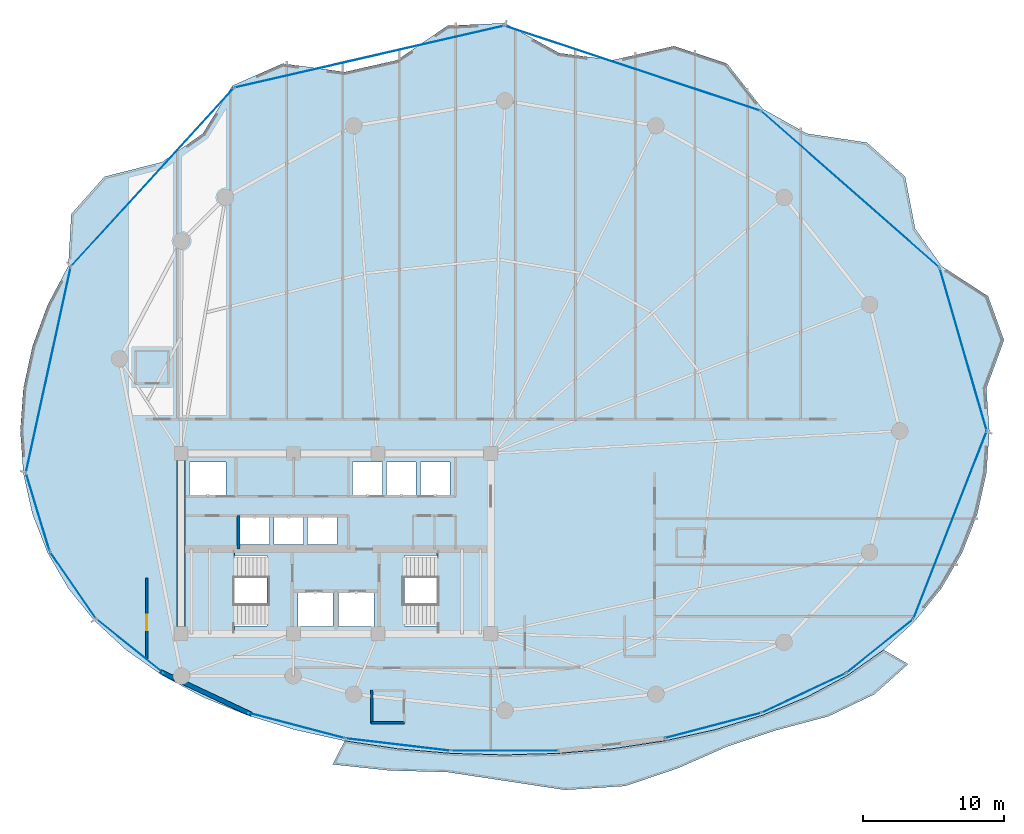
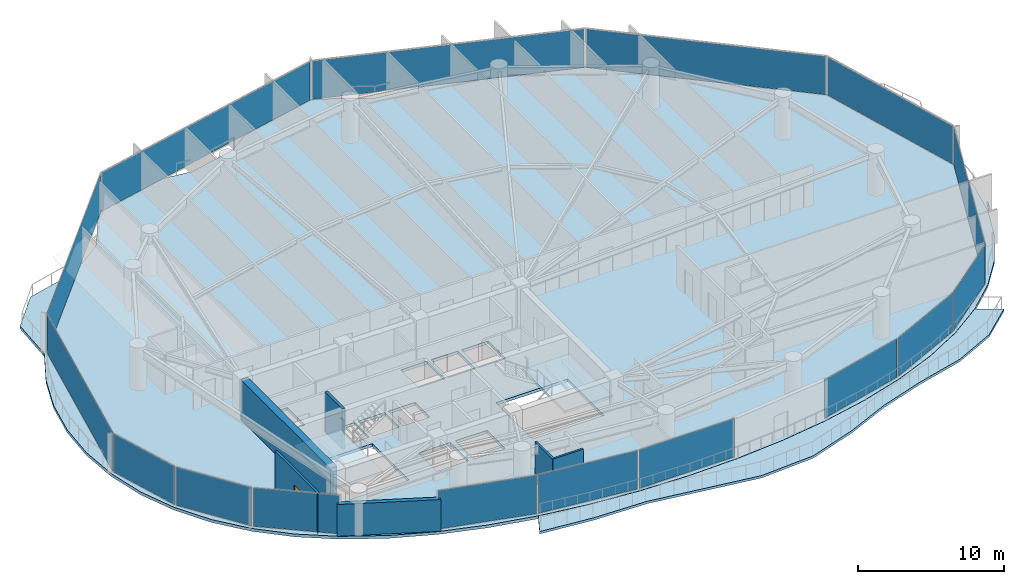
# One storey, part 25 of 34: 16 plates, 6 walls, 4 slabs, 1 door, 1 opening, 18 elements without a shape of their own.
"""IFC4 building model written with IfcOpenShell, lengths in metres."""

from ifc_helpers import new_model, si_unit, direction, frame, frame_2d, origin, origin_2d, place, context, subcontext, project, spatial, polyline, rectangle, outline, extrude, material, layer, layer_set, type_object, element, fill, aggregate, save


model = new_model("IFC4")

# Units and contexts
model_context = context("Model", 3, precision=1e-05, world=origin(), true_north=direction((0.0, 1.0)))
body_context = subcontext(model_context, "Body", "Model", "MODEL_VIEW")
ifc_project = project(units=[si_unit("LENGTHUNIT", "METRE"), si_unit("AREAUNIT", "SQUARE_METRE"), si_unit("VOLUMEUNIT", "CUBIC_METRE"), si_unit("PLANEANGLEUNIT", "RADIAN"), si_unit("MASSUNIT", "GRAM", prefix="KILO")], contexts=[model_context])

# Site, building, storey
site_placement = place(None, origin())
site = spatial("IfcSite", under=ifc_project, at=site_placement, CompositionType="ELEMENT")
building_placement = place(site_placement, origin())
building = spatial("IfcBuilding", under=site, at=building_placement, Name="Kazevale Care Tower and Concert Hall", CompositionType="ELEMENT")
storey_placement = place(building_placement, frame((0.0, 0.0, 163.800048828125)))
storey = spatial("IfcBuildingStorey", under=building, at=storey_placement, Name="L43", CompositionType="ELEMENT", Elevation=163.800048828125)

# Curtain wall, plate
ifc_material_1 = material(Name="Aluminium 6063-T6 and Low-E Glass", Category="aluminium")
ifc_layer_1 = layer(ifc_material_1, 0.179931640625)
ifc_layer_set_1 = layer_set([ifc_layer_1], Name="Aluminium 6063-T6 and Low-E Glass")
curtain_wall_type_1 = type_object("IfcCurtainWallType", Name="Convex Checkerboard Finned Curtain Wall CW-2", PredefinedType="NOTDEFINED", material=ifc_layer_set_1)
curtain_wall_1_placement = place(storey_placement, origin())
curtain_wall_1 = element("IfcCurtainWall", 1, at=curtain_wall_1_placement, inside=storey, type_object=curtain_wall_type_1, Name="cw:L43:f14", PredefinedType="NOTDEFINED")
ifc_material_2 = material(Name="Low-E Laminated Glass", Category="glass")
ifc_layer_2 = layer(ifc_material_2, 0.028076171875)
ifc_layer_set_2 = layer_set([ifc_layer_2], Name="Low-E Laminated Glass")
plate_type_1 = type_object("IfcPlateType", Name="CW-2 Low-E Glazing Panel 28mm", PredefinedType="CURTAIN_PANEL", material=ifc_layer_set_2)
plate_1_placement = place(storey_placement, frame((19.98388671875, 56.017578125, 0.074951171875), z_axis=(0.0, 0.0, 1.0), x_axis=(0.674262472751, 0.738491785899, 0.0)))
plate_1 = element("IfcPlate", 2, at=plate_1_placement, type_object=plate_type_1, Name="CW-2 panel 1.1", PredefinedType="CURTAIN_PANEL", context=body_context, shape_type="SweptSolid", body=[
    extrude(rectangle(XDim=17.0439453125, YDim=0.028076171875, at=origin_2d()), origin(), (0.0, 0.0, 1.0), 3.2099609375),
])
aggregate(curtain_wall_1, [plate_1])

curtain_wall_2_placement = place(storey_placement, origin())
curtain_wall_2 = element("IfcCurtainWall", 3, at=curtain_wall_2_placement, inside=storey, type_object=curtain_wall_type_1, Name="cw:L43:f16", PredefinedType="NOTDEFINED")
plate_2_placement = place(storey_placement, frame((54.070556640625, 63.7451171875, 0.074951171875), z_axis=(0.0, 0.0, 1.0), x_axis=(0.949135409507, -0.314868185785, 0.0)))
plate_2 = element("IfcPlate", 4, at=plate_2_placement, type_object=plate_type_1, Name="CW-2 panel 1.1", PredefinedType="CURTAIN_PANEL", context=body_context, shape_type="SweptSolid", body=[
    extrude(rectangle(XDim=19.041748046875, YDim=0.028076171875, at=origin_2d()), origin(), (0.0, 0.0, 1.0), 3.2099609375),
])
aggregate(curtain_wall_2, [plate_2])

ifc_layer_3 = layer(ifc_material_1, 0.179931640625)
ifc_layer_set_3 = layer_set([ifc_layer_3], Name="Aluminium 6063-T6 and Low-E Glass")
curtain_wall_type_2 = type_object("IfcCurtainWallType", Name="Convex Recessed Sunroom Curtain Wall CW-3", PredefinedType="NOTDEFINED", material=ifc_layer_set_3)
curtain_wall_3_placement = place(storey_placement, origin())
curtain_wall_3 = element("IfcCurtainWall", 5, at=curtain_wall_3_placement, inside=storey, type_object=curtain_wall_type_2, Name="cw:L43:f15", PredefinedType="NOTDEFINED")
ifc_layer_4 = layer(ifc_material_2, 0.028076171875)
ifc_layer_set_4 = layer_set([ifc_layer_4], Name="Low-E Laminated Glass")
plate_type_2 = type_object("IfcPlateType", Name="CW-3 Low-E Glazing Panel 28mm", PredefinedType="CURTAIN_PANEL", material=ifc_layer_set_4)
plate_3_placement = place(storey_placement, frame((35.37109375, 64.569091796875, 0.074951171875), z_axis=(0.0, 0.0, 1.0), x_axis=(0.974688488327, 0.223567329284, 0.0)))
plate_3 = element("IfcPlate", 6, at=plate_3_placement, type_object=plate_type_2, Name="CW-3 panel 1.1", PredefinedType="CURTAIN_PANEL", context=body_context, shape_type="SweptSolid", body=[
    extrude(rectangle(XDim=19.52197265625, YDim=0.028076171875, at=origin_2d()), origin(), (0.0, 0.0, 1.0), 3.2099609375),
])
aggregate(curtain_wall_3, [plate_3])

curtain_wall_4_placement = place(storey_placement, origin())
curtain_wall_4 = element("IfcCurtainWall", 7, at=curtain_wall_4_placement, inside=storey, type_object=curtain_wall_type_2, Name="cw:L43:f17", PredefinedType="NOTDEFINED")
plate_4_placement = place(storey_placement, frame((69.5244140625, 55.152587890625, 0.074951171875), z_axis=(0.0, 0.0, 1.0), x_axis=(0.751360700182, -0.659891732197, 0.0)))
plate_4 = element("IfcPlate", 8, at=plate_4_placement, type_object=plate_type_2, Name="CW-3 panel 1.1", PredefinedType="CURTAIN_PANEL", context=body_context, shape_type="SweptSolid", body=[
    extrude(rectangle(XDim=16.72998046875, YDim=0.028076171875, at=origin_2d()), origin(), (0.0, 0.0, 1.0), 3.2099609375),
])
aggregate(curtain_wall_4, [plate_4])

ifc_layer_5 = layer(ifc_material_1, 0.179931640625)
ifc_layer_set_5 = layer_set([ifc_layer_5], Name="Aluminium 6063-T6 and Low-E Glass")
curtain_wall_type_3 = type_object("IfcCurtainWallType", Name="Waist & Upper Residential Curtain Wall CW-4", PredefinedType="NOTDEFINED", material=ifc_layer_set_5)
curtain_wall_5_placement = place(storey_placement, origin())
curtain_wall_5 = element("IfcCurtainWall", 9, at=curtain_wall_5_placement, inside=storey, type_object=curtain_wall_type_3, Name="cw:L43:f01", PredefinedType="NOTDEFINED")
ifc_layer_6 = layer(ifc_material_2, 0.030029296875)
ifc_layer_set_6 = layer_set([ifc_layer_6], Name="Low-E Laminated Glass")
plate_type_3 = type_object("IfcPlateType", Name="CW-4 Low-E Glazing Panel 30mm", PredefinedType="CURTAIN_PANEL", material=ifc_layer_set_6)
plate_5_placement = place(storey_placement, frame((76.60791015625, 31.319091796875, 0.080078125), z_axis=(0.0, 0.0, 1.0), x_axis=(-0.36412075471, -0.931351746651, 0.0)))
plate_5 = element("IfcPlate", 10, at=plate_5_placement, type_object=plate_type_3, Name="CW-4 panel 1.1", PredefinedType="CURTAIN_PANEL", context=body_context, shape_type="SweptSolid", body=[
    extrude(rectangle(XDim=14.186767578125, YDim=0.030029296875, at=origin_2d()), origin(), (0.0, 0.0, 1.0), 3.199951171875),
])
aggregate(curtain_wall_5, [plate_5])

curtain_wall_6_placement = place(storey_placement, origin())
curtain_wall_6 = element("IfcCurtainWall", 11, at=curtain_wall_6_placement, inside=storey, type_object=curtain_wall_type_3, Name="cw:L43:f11", PredefinedType="NOTDEFINED")
plate_6_placement = place(storey_placement, frame((14.348388671875, 27.03955078125, 0.080078125), z_axis=(0.0, 0.0, 1.0), x_axis=(-0.567568708131, 0.823326035997, 0.0)))
plate_6 = element("IfcPlate", 12, at=plate_6_placement, type_object=plate_type_3, Name="CW-4 panel 1.1", PredefinedType="CURTAIN_PANEL", context=body_context, shape_type="SweptSolid", body=[
    extrude(rectangle(XDim=5.673583984375, YDim=0.030029296875, at=origin_2d()), origin(), (0.0, 0.0, 1.0), 3.199951171875),
])
aggregate(curtain_wall_6, [plate_6])

curtain_wall_7_placement = place(storey_placement, origin())
curtain_wall_7 = element("IfcCurtainWall", 13, at=curtain_wall_7_placement, inside=storey, type_object=curtain_wall_type_3, Name="cw:L43:f12", PredefinedType="NOTDEFINED")
plate_7_placement = place(storey_placement, frame((11.843994140625, 32.232421875, 0.080078125), z_axis=(0.0, 0.0, 1.0), x_axis=(-0.290977496961, 0.956729897234, 0.0)))
plate_7 = element("IfcPlate", 14, at=plate_7_placement, type_object=plate_type_3, Name="CW-4 panel 1.1", PredefinedType="CURTAIN_PANEL", context=body_context, shape_type="SweptSolid", body=[
    extrude(rectangle(XDim=5.675537109375, YDim=0.030029296875, at=origin_2d()), origin(), (0.0, 0.0, 1.0), 3.199951171875),
])
aggregate(curtain_wall_7, [plate_7])

curtain_wall_8_placement = place(storey_placement, origin())
curtain_wall_8 = element("IfcCurtainWall", 15, at=curtain_wall_8_placement, inside=storey, type_object=curtain_wall_type_3, Name="cw:L43:f13", PredefinedType="NOTDEFINED")
plate_8_placement = place(storey_placement, frame((12.589599609375, 42.344482421875, 0.080078125), z_axis=(0.0, 0.0, 1.0), x_axis=(0.21282305992, 0.977090755849, 0.0)))
plate_8 = element("IfcPlate", 16, at=plate_8_placement, type_object=plate_type_3, Name="CW-4 panel 1.1", PredefinedType="CURTAIN_PANEL", context=body_context, shape_type="SweptSolid", body=[
    extrude(rectangle(XDim=14.82421875, YDim=0.030029296875, at=origin_2d()), origin(), (0.0, 0.0, 1.0), 3.199951171875),
])
aggregate(curtain_wall_8, [plate_8])

curtain_wall_9_placement = place(storey_placement, origin())
curtain_wall_9 = element("IfcCurtainWall", 17, at=curtain_wall_9_placement, inside=storey, type_object=curtain_wall_type_3, Name="cw:L43:f18", PredefinedType="NOTDEFINED")
plate_9_placement = place(storey_placement, frame((77.54296875, 43.79150390625, 0.080078125), z_axis=(0.0, 0.0, 1.0), x_axis=(0.278136604418, -0.960541529182, 0.0)))
plate_9 = element("IfcPlate", 18, at=plate_9_placement, type_object=plate_type_3, Name="CW-4 panel 1.1", PredefinedType="CURTAIN_PANEL", context=body_context, shape_type="SweptSolid", body=[
    extrude(rectangle(XDim=11.89892578125, YDim=0.030029296875, at=origin_2d()), origin(), (0.0, 0.0, 1.0), 3.199951171875),
])
aggregate(curtain_wall_9, [plate_9])

ifc_layer_7 = layer(ifc_material_1, 0.179931640625)
ifc_layer_set_7 = layer_set([ifc_layer_7], Name="Aluminium 6063-T6 and Low-E Glass")
curtain_wall_type_4 = type_object("IfcCurtainWallType", Name="Sheltered Concave Balcony Curtain Wall CW-5", PredefinedType="NOTDEFINED", material=ifc_layer_set_7)
curtain_wall_10_placement = place(storey_placement, origin())
curtain_wall_10 = element("IfcCurtainWall", 19, at=curtain_wall_10_placement, inside=storey, type_object=curtain_wall_type_4, Name="cw:L43:f02", PredefinedType="NOTDEFINED")
ifc_layer_8 = layer(ifc_material_2, 0.02587890625)
ifc_layer_set_8 = layer_set([ifc_layer_8], Name="Low-E Laminated Glass")
plate_type_4 = type_object("IfcPlateType", Name="CW-5 Low-E Glazing Panel 26mm", PredefinedType="CURTAIN_PANEL", material=ifc_layer_set_8)
plate_10_placement = place(storey_placement, frame((71.613037109375, 22.720458984375, 0.074951171875), z_axis=(0.0, 0.0, 1.0), x_axis=(-0.779095419531, -0.626905357502, 0.0)))
plate_10 = element("IfcPlate", 20, at=plate_10_placement, type_object=plate_type_4, Name="CW-5 panel 1.1", PredefinedType="CURTAIN_PANEL", context=body_context, shape_type="SweptSolid", body=[
    extrude(rectangle(XDim=5.96728515625, YDim=0.02587890625, at=origin_2d()), origin(), (0.0, 0.0, 1.0), 3.2099609375),
])
aggregate(curtain_wall_10, [plate_10])

curtain_wall_11_placement = place(storey_placement, origin())
curtain_wall_11 = element("IfcCurtainWall", 21, at=curtain_wall_11_placement, inside=storey, type_object=curtain_wall_type_4, Name="cw:L43:f03", PredefinedType="NOTDEFINED")
plate_11_placement = place(storey_placement, frame((66.235595703125, 19.39697265625, 0.074951171875), z_axis=(0.0, 0.0, 1.0), x_axis=(-0.905188294205, -0.425010766963, 0.0)))
plate_11 = element("IfcPlate", 22, at=plate_11_placement, type_object=plate_type_4, Name="CW-5 panel 1.1", PredefinedType="CURTAIN_PANEL", context=body_context, shape_type="SweptSolid", body=[
    extrude(rectangle(XDim=6.46630859375, YDim=0.02587890625, at=origin_2d()), origin(), (0.0, 0.0, 1.0), 3.2099609375),
])
aggregate(curtain_wall_11, [plate_11])

curtain_wall_12_placement = place(storey_placement, origin())
curtain_wall_12 = element("IfcCurtainWall", 23, at=curtain_wall_12_placement, inside=storey, type_object=curtain_wall_type_4, Name="cw:L43:f04", PredefinedType="NOTDEFINED")
plate_12_placement = place(storey_placement, frame((59.784912109375, 17.08251953125, 0.074951171875), z_axis=(0.0, 0.0, 1.0), x_axis=(-0.967141564797, -0.254238458229, 0.0)))
plate_12 = element("IfcPlate", 24, at=plate_12_placement, type_object=plate_type_4, Name="CW-5 panel 1.1", PredefinedType="CURTAIN_PANEL", context=body_context, shape_type="SweptSolid", body=[
    extrude(rectangle(XDim=6.996826171875, YDim=0.02587890625, at=origin_2d()), origin(), (0.0, 0.0, 1.0), 3.2099609375),
])
aggregate(curtain_wall_12, [plate_12])

curtain_wall_13_placement = place(storey_placement, origin())
curtain_wall_13 = element("IfcCurtainWall", 25, at=curtain_wall_13_placement, inside=storey, type_object=curtain_wall_type_4, Name="cw:L43:f06", PredefinedType="NOTDEFINED")
plate_13_placement = place(storey_placement, frame((45.0, 15.2890625, 0.074951171875), z_axis=(0.0, 0.0, 1.0), x_axis=(-1.0, 0.0, 0.0)))
plate_13 = element("IfcPlate", 26, at=plate_13_placement, type_object=plate_type_4, Name="CW-5 panel 1.1", PredefinedType="CURTAIN_PANEL", context=body_context, shape_type="SweptSolid", body=[
    extrude(rectangle(XDim=7.531982421875, YDim=0.02587890625, at=origin_2d()), origin(), (0.0, 0.0, 1.0), 3.2099609375),
])
aggregate(curtain_wall_13, [plate_13])

curtain_wall_14_placement = place(storey_placement, origin())
curtain_wall_14 = element("IfcCurtainWall", 27, at=curtain_wall_14_placement, inside=storey, type_object=curtain_wall_type_4, Name="cw:L43:f07", PredefinedType="NOTDEFINED")
plate_14_placement = place(storey_placement, frame((37.4150390625, 15.7314453125, 0.074951171875), z_axis=(0.0, 0.0, 1.0), x_axis=(-0.993087997884, 0.117372179238, 0.0)))
plate_14 = element("IfcPlate", 28, at=plate_14_placement, type_object=plate_type_4, Name="CW-5 panel 1.1", PredefinedType="CURTAIN_PANEL", context=body_context, shape_type="SweptSolid", body=[
    extrude(rectangle(XDim=7.39013671875, YDim=0.02587890625, at=origin_2d()), origin(), (0.0, 0.0, 1.0), 3.2099609375),
])
aggregate(curtain_wall_14, [plate_14])

curtain_wall_15_placement = place(storey_placement, origin())
curtain_wall_15 = element("IfcCurtainWall", 29, at=curtain_wall_15_placement, inside=storey, type_object=curtain_wall_type_4, Name="cw:L43:f08", PredefinedType="NOTDEFINED")
plate_15_placement = place(storey_placement, frame((30.215087890625, 17.08251953125, 0.074951171875), z_axis=(0.0, 0.0, 1.0), x_axis=(-0.967141564797, 0.254238458229, 0.0)))
plate_15 = element("IfcPlate", 30, at=plate_15_placement, type_object=plate_type_4, Name="CW-5 panel 1.1", PredefinedType="CURTAIN_PANEL", context=body_context, shape_type="SweptSolid", body=[
    extrude(rectangle(XDim=6.996826171875, YDim=0.02587890625, at=origin_2d()), origin(), (0.0, 0.0, 1.0), 3.2099609375),
])
aggregate(curtain_wall_15, [plate_15])

curtain_wall_16_placement = place(storey_placement, origin())
curtain_wall_16 = element("IfcCurtainWall", 31, at=curtain_wall_16_placement, inside=storey, type_object=curtain_wall_type_4, Name="cw:L43:f10", PredefinedType="NOTDEFINED")
plate_16_placement = place(storey_placement, frame((18.386962890625, 22.720458984375, 0.074951171875), z_axis=(0.0, 0.0, 1.0), x_axis=(-0.779095419531, 0.626905357502, 0.0)))
plate_16 = element("IfcPlate", 32, at=plate_16_placement, type_object=plate_type_4, Name="CW-5 panel 1.1", PredefinedType="CURTAIN_PANEL", context=body_context, shape_type="SweptSolid", body=[
    extrude(rectangle(XDim=5.96728515625, YDim=0.02587890625, at=origin_2d()), origin(), (0.0, 0.0, 1.0), 3.2099609375),
])
aggregate(curtain_wall_16, [plate_16])

# Slab
ifc_material_3 = material(Name="Concrete C40", Category="concrete")
ifc_layer_9 = layer(ifc_material_3, 0.199951171875)
ifc_layer_set_9 = layer_set([ifc_layer_9], Name="Concrete C40")
slab_type_1 = type_object("IfcSlabType", Name="Sinusoidal Concave Balcony Slab 200", PredefinedType="USERDEFINED", material=ifc_layer_set_9)
slab_1_placement = place(storey_placement, frame((0.0, 0.0, -0.199951171875)))
element("IfcSlab", 33, at=slab_1_placement, inside=storey, type_object=slab_type_1, Name="slab:L43:bal", ObjectType="BALCONY", PredefinedType="USERDEFINED", context=body_context, shape_type="SweptSolid", body=[
    extrude(outline(polyline([(73.635986328125, 21.44677734375), (71.218994140625, 19.2978515625), (67.9931640625, 17.7451171875), (64.2705078125, 16.753662109375), (60.767578125, 15.591552734375), (57.35205078125, 14.079345703125), (53.55419921875, 12.789794921875), (49.289306640625, 12.508544921875), (45.0, 13.159423828125), (40.924072265625, 13.77685546875), (36.819580078125, 13.89111328125), (32.773193359375, 14.32177734375), (33.635986328125, 15.992919921875), (33.637451171875, 15.992431640625), (37.3447265625, 15.435546875), (41.148193359375, 15.104736328125), (45.0, 14.9951171875), (48.851806640625, 15.104736328125), (52.6552734375, 15.435546875), (56.362548828125, 15.992431640625), (59.927001953125, 16.783447265625), (63.3037109375, 17.81689453125), (66.4501953125, 19.101806640625), (69.3271484375, 20.64501953125), (71.898193359375, 22.44921875), (71.899658203125, 22.450439453125), (73.635986328125, 21.44677734375)])), origin(), (0.0, 0.0, 1.0), 0.199951171875),
])

# Stair, slab
stair_type = type_object("IfcStairType", Name="Exit Stair Assembly ST1-Z2", PredefinedType="HALF_TURN_STAIR", material=ifc_material_3)
stair_1_placement = place(storey_placement, origin())
stair_1 = element("IfcStair", 34, at=stair_1_placement, inside=storey, type_object=stair_type, Name="stair:L43:ST1", PredefinedType="HALF_TURN_STAIR")
ifc_layer_10 = layer(ifc_material_3, 0.199951171875)
ifc_layer_set_10 = layer_set([ifc_layer_10], Name="Concrete C40")
slab_type_2 = type_object("IfcSlabType", Name="Stair Half-Landing Slab ST1-Z2", PredefinedType="LANDING", material=ifc_layer_set_10)
slab_2_placement = place(storey_placement, frame((0.0, 0.0, 1.599853515625)))
slab_2 = element("IfcSlab", 35, at=slab_2_placement, type_object=slab_type_2, Name="ST1-Z2 landing 1", PredefinedType="LANDING", context=body_context, shape_type="SweptSolid", body=[
    extrude(outline(polyline([(22.050048828125, 23.699951171875), (25.81005859375, 23.699951171875), (25.81005859375, 29.5), (22.050048828125, 29.5), (22.050048828125, 23.699951171875)])), origin(), (0.0, 0.0, 1.0), 0.2001953125),
])
aggregate(stair_1, [slab_2])

stair_2_placement = place(storey_placement, origin())
stair_2 = element("IfcStair", 36, at=stair_2_placement, inside=storey, type_object=stair_type, Name="stair:L43:ST2", PredefinedType="HALF_TURN_STAIR")
slab_3_placement = place(storey_placement, frame((0.0, 0.0, 1.599853515625)))
slab_3 = element("IfcSlab", 37, at=slab_3_placement, type_object=slab_type_2, Name="ST1-Z2 landing 1", PredefinedType="LANDING", context=body_context, shape_type="SweptSolid", body=[
    extrude(outline(polyline([(40.18994140625, 23.699951171875), (43.949951171875, 23.699951171875), (43.949951171875, 29.5), (40.18994140625, 29.5), (40.18994140625, 23.699951171875)])), origin(), (0.0, 0.0, 1.0), 0.2001953125),
])
aggregate(stair_2, [slab_3])

# Slab
ifc_layer_11 = layer(ifc_material_3, 0.239990234375)
ifc_layer_set_11 = layer_set([ifc_layer_11], Name="Concrete C40")
slab_type_3 = type_object("IfcSlabType", Name="Tower Typical Floor Slab 240", PredefinedType="FLOOR", material=ifc_layer_set_11)
slab_4_placement = place(storey_placement, frame((0.0, 0.0, -0.239990234375)))
element("IfcSlab", 38, at=slab_4_placement, inside=storey, type_object=slab_type_3, Name="slab:L43:tw:1", PredefinedType="FLOOR", context=body_context, shape_type="SweptSolid", body=[
    extrude(outline(polyline([(79.39990234375, 38.0), (79.18359375, 41.02294921875), (80.438720703125, 44.44189453125), (79.310302734375, 47.5615234375), (75.993408203125, 49.71484375), (74.127197265625, 52.364990234375), (73.419677734375, 56.050048828125), (70.703369140625, 58.470703125), (66.447998046875, 59.109619140625), (63.302001953125, 60.861572265625), (60.771728515625, 64.0830078125), (57.005615234375, 65.325439453125), (52.65478515625, 64.322998046875), (48.8515625, 64.830078125), (45.0, 66.949951171875), (40.93017578125, 66.76806640625), (37.34521484375, 64.322998046875), (33.638427734375, 63.48486328125), (29.228271484375, 64.0830078125), (25.66064453125, 62.5126953125), (23.552001953125, 59.109619140625), (20.675537109375, 57.091796875), (16.580322265625, 56.050048828125), (14.2216796875, 53.40234375), (14.006591796875, 49.71484375), (12.530517578125, 46.91748046875), (11.46240234375, 44.008056640625), (10.81640625, 41.02294921875), (10.60009765625, 38.0), (10.81640625, 34.997802734375), (11.46240234375, 32.1005859375), (12.530517578125, 29.362548828125), (14.006591796875, 26.82421875), (15.872802734375, 24.514892578125), (18.10498046875, 22.452880859375), (20.675537109375, 20.649169921875), (23.552001953125, 19.1064453125), (26.697998046875, 17.821533203125), (30.074462890625, 16.7880859375), (33.638427734375, 15.997314453125), (37.34521484375, 15.4404296875), (41.1484375, 15.109619140625), (45.0, 15.0), (48.8515625, 15.109619140625), (52.65478515625, 15.4404296875), (56.361572265625, 15.997314453125), (59.925537109375, 16.7880859375), (63.302001953125, 17.821533203125), (66.447998046875, 19.1064453125), (69.324462890625, 20.649169921875), (71.89501953125, 22.452880859375), (74.127197265625, 24.514892578125), (75.993408203125, 26.82421875), (77.469482421875, 29.362548828125), (78.53759765625, 32.1005859375), (79.18359375, 34.997802734375), (79.39990234375, 38.0)]), holes=[polyline([(22.449951171875, 24.14990234375), (28.110107421875, 24.14990234375), (28.110107421875, 29.14990234375), (22.449951171875, 29.14990234375), (22.449951171875, 24.14990234375)]), polyline([(37.889892578125, 24.14990234375), (43.550048828125, 24.14990234375), (43.550048828125, 29.14990234375), (37.889892578125, 29.14990234375), (37.889892578125, 24.14990234375)]), polyline([(30.300048828125, 24.10009765625), (32.800048828125, 24.10009765625), (32.800048828125, 26.60009765625), (30.300048828125, 26.60009765625), (30.300048828125, 24.10009765625)]), polyline([(33.199951171875, 24.10009765625), (35.699951171875, 24.10009765625), (35.699951171875, 26.60009765625), (33.199951171875, 26.60009765625), (33.199951171875, 24.10009765625)]), polyline([(22.60009765625, 33.39990234375), (25.199951171875, 33.39990234375), (25.199951171875, 35.800048828125), (22.60009765625, 35.800048828125), (22.60009765625, 33.39990234375)]), polyline([(34.199951171875, 33.39990234375), (36.300048828125, 33.39990234375), (36.300048828125, 35.800048828125), (34.199951171875, 35.800048828125), (34.199951171875, 33.39990234375)]), polyline([(36.60009765625, 33.39990234375), (38.699951171875, 33.39990234375), (38.699951171875, 35.800048828125), (36.60009765625, 35.800048828125), (36.60009765625, 33.39990234375)]), polyline([(39.0, 33.39990234375), (41.10009765625, 33.39990234375), (41.10009765625, 35.800048828125), (39.0, 35.800048828125), (39.0, 33.39990234375)]), polyline([(26.199951171875, 29.949951171875), (28.300048828125, 29.949951171875), (28.300048828125, 31.949951171875), (26.199951171875, 31.949951171875), (26.199951171875, 29.949951171875)]), polyline([(28.60009765625, 29.949951171875), (30.699951171875, 29.949951171875), (30.699951171875, 31.949951171875), (28.60009765625, 31.949951171875), (28.60009765625, 29.949951171875)]), polyline([(31.0, 29.949951171875), (33.10009765625, 29.949951171875), (33.10009765625, 31.949951171875), (31.0, 31.949951171875), (31.0, 29.949951171875)])]), origin(), (0.0, 0.0, 1.0), 0.239990234375),
])

# Walls
ifc_material_4 = material(Name="Concrete C60", Category="concrete")
ifc_layer_12 = layer(ifc_material_4, 0.550048828125)
ifc_layer_set_12 = layer_set([ifc_layer_12], Name="Concrete C60")
wall_type_1 = type_object("IfcWallType", Name="Core Shear Wall 550 C60", PredefinedType="SHEAR", material=ifc_layer_set_12)
wall_1_placement = place(storey_placement, frame((22.0, 23.875, 0.0), z_axis=(0.0, 0.0, 1.0), x_axis=(0.0, 1.0, 0.0)))
element("IfcWall", 39, at=wall_1_placement, inside=storey, type_object=wall_type_1, Name="wall:L43:core:W", PredefinedType="SHEAR", context=body_context, shape_type="SweptSolid", body=[
    extrude(rectangle(XDim=12.25, YDim=0.550048828125, at=frame_2d((6.125, 0.0))), origin(), (0.0, 0.0, 1.0), 3.35986328125),
])
ifc_layer_13 = layer(ifc_material_3, 0.219970703125)
ifc_layer_set_13 = layer_set([ifc_layer_13], Name="Concrete C40")
wall_type_2 = type_object("IfcWallType", Name="Elevator Hoistway Shaft Wall 220", PredefinedType="SOLIDWALL", material=ifc_layer_set_13)
wall_2_placement = place(storey_placement, frame((26.10009765625, 29.6201171875, 0.0), z_axis=(0.0, 0.0, 1.0), x_axis=(0.0, 1.0, 0.0)))
element("IfcWall", 40, at=wall_2_placement, inside=storey, type_object=wall_type_2, Name="wall:L43:c_ph_w", PredefinedType="SOLIDWALL", context=body_context, shape_type="SweptSolid", body=[
    extrude(rectangle(XDim=2.35986328125, YDim=0.219970703125, at=frame_2d((1.179931640625, 0.0))), origin(), (0.0, 0.0, 1.0), 3.35986328125),
])

# Wall, opening, door
ifc_material_5 = material(Name="Concrete C40 and Acoustic Gypsum", Category="concrete")
ifc_layer_14 = layer(ifc_material_5, 0.179931640625)
ifc_layer_set_14 = layer_set([ifc_layer_14], Name="Concrete C40 and Acoustic Gypsum")
wall_type_3 = type_object("IfcWallType", Name="Fire-Rated Corridor & Party Wall 180", PredefinedType="PARTITIONING", material=ifc_layer_set_14)
wall_3_placement = place(storey_placement, frame((19.574951171875, 21.774658203125, 0.0), z_axis=(0.0, 0.0, 1.0), x_axis=(0.0, 1.0, 0.0)))
wall_3 = element("IfcWall", 41, at=wall_3_placement, inside=storey, type_object=wall_type_3, Name="wall:L43:auto_023", PredefinedType="PARTITIONING", context=body_context, shape_type="SweptSolid", body=[
    extrude(rectangle(XDim=5.790283203125, YDim=0.179931640625, at=frame_2d((2.89501953125, 0.0))), origin(), (0.0, 0.0, 1.0), 3.35986328125),
])
opening_placement = place(wall_3_placement, frame((2.087890625, 0.0, 0.0)))
opening = element("IfcOpeningElement", 42, at=opening_placement, cuts=wall_3, Name="Opening ID-1100", PredefinedType="OPENING", context=body_context, shape_type="SweptSolid", body=[
    extrude(rectangle(XDim=1.10009765625, YDim=2.10009765625, at=frame_2d((0.550048828125, 1.050048828125))), frame((0.0, 0.099853515625, 0.0), z_axis=(0.0, -1.0, 0.0), x_axis=(1.0, 0.0, 0.0)), (0.0, 0.0, 1.0), 0.199951171875),
])
ifc_material_6 = material(Name="Oak Timber Fire Leaf", Category="wood")
door_type = type_object("IfcDoorType", Name="Care Bedroom Accessible Door 1100x2100", OperationType="NOTDEFINED", PredefinedType="DOOR", material=ifc_material_6)
door_placement = place(opening_placement, origin())
door = element("IfcDoor", 43, at=door_placement, inside=storey, type_object=door_type, Name="door:L43:ad_023", OperationType="SINGLE_SWING_LEFT", OverallHeight=2.10009765625, OverallWidth=1.10009765625, PredefinedType="DOOR", context=body_context, shape_type="SweptSolid", body=[
    extrude(rectangle(XDim=1.10009765625, YDim=2.10009765625, at=frame_2d((0.550048828125, 1.050048828125))), frame((0.0, 0.02490234375, 0.0), z_axis=(0.0, -1.0, 0.0), x_axis=(1.0, 0.0, 0.0)), (0.0, 0.0, 1.0), 0.050048828125),
])
fill(opening, door)

# Walls
ifc_material_7 = material(Name="Acoustic Gypsum on Steel Stud", Category="steel")
ifc_layer_15 = layer(ifc_material_7, 0.159912109375)
ifc_layer_set_15 = layer_set([ifc_layer_15], Name="Acoustic Gypsum on Steel Stud")
wall_type_4 = type_object("IfcWallType", Name="Moisture-Resistant Bathroom Plumbing Wall 160", PredefinedType="PLUMBINGWALL", material=ifc_layer_set_15)
wall_4_placement = place(storey_placement, frame((35.510009765625, 17.27392578125, 0.0), z_axis=(0.0, 0.0, 1.0), x_axis=(1.0, 0.0, 0.0)))
element("IfcWall", 44, at=wall_4_placement, inside=storey, type_object=wall_type_4, Name="wall:L43:sb2_ens_ws", PredefinedType="PLUMBINGWALL", context=body_context, shape_type="SweptSolid", body=[
    extrude(rectangle(XDim=2.3798828125, YDim=0.159912109375, at=frame_2d((1.18994140625, 0.0))), origin(), (0.0, 0.0, 1.0), 3.35986328125),
])
wall_5_placement = place(storey_placement, frame((35.550048828125, 17.23388671875, 0.0), z_axis=(0.0, 0.0, 1.0), x_axis=(0.0, 1.0, 0.0)))
element("IfcWall", 45, at=wall_5_placement, inside=storey, type_object=wall_type_4, Name="wall:L43:sb2_ens_ww", PredefinedType="PLUMBINGWALL", context=body_context, shape_type="SweptSolid", body=[
    extrude(rectangle(XDim=2.380126953125, YDim=0.159912109375, at=frame_2d((1.18994140625, 0.0))), origin(), (0.0, 0.0, 1.0), 3.35986328125),
])
ifc_material_8 = material(Name="Concrete C40 with Honed Limestone Cladding", Category="masonry")
ifc_layer_16 = layer(ifc_material_8, 0.320068359375)
ifc_layer_set_16 = layer_set([ifc_layer_16], Name="Concrete C40 with Honed Limestone Cladding")
wall_type_5 = type_object("IfcWallType", Name="Tower Honed Limestone Spandrel Wall 320", PredefinedType="STANDARD", material=ifc_layer_set_16)
wall_6_placement = place(storey_placement, frame((26.993896484375, 17.8798828125, 0.0), z_axis=(0.0, 0.0, 1.0), x_axis=(-0.905106920297, 0.425184034073, 0.0)))
element("IfcWall", 46, at=wall_6_placement, inside=storey, type_object=wall_type_5, Name="wall:cw:L43:f09", PredefinedType="STANDARD", context=body_context, shape_type="SweptSolid", body=[
    extrude(rectangle(XDim=7.13623046875, YDim=0.320068359375, at=frame_2d((3.568115234375, 0.0))), origin(), (0.0, 0.0, 1.0), 2.656982421875),
])

save(model, "model.ifc")
